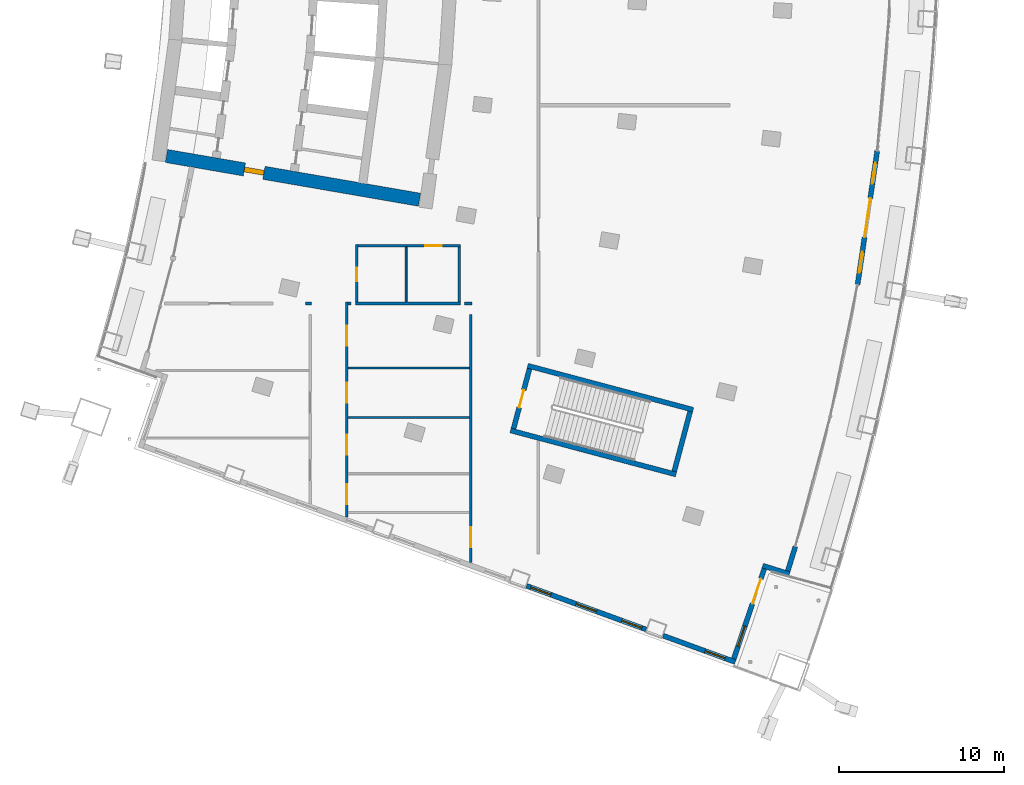
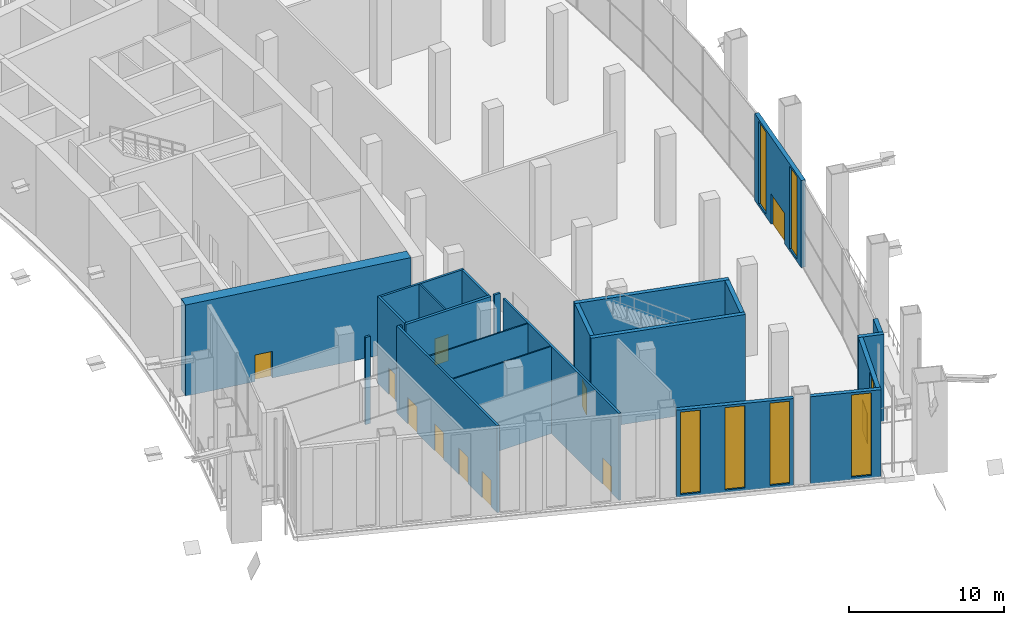
# One storey, part 16 of 27: 23 walls, 11 doors, 7 windows, 18 openings.
"""IFC4 building model written with IfcOpenShell, lengths in metres."""

from ifc_helpers import new_model, si_unit, direction, frame, frame_2d, origin, place, context, subcontext, project, spatial, rectangle, extrude, material, layer, layer_set, type_object, element, fill, save


model = new_model("IFC4")

# Units and contexts
model_context = context("Model", 3, precision=1e-05, world=origin(), true_north=direction((0.0, 1.0)))
body_context = subcontext(model_context, "Body", "Model", "MODEL_VIEW")
ifc_project = project(units=[si_unit("LENGTHUNIT", "METRE"), si_unit("AREAUNIT", "SQUARE_METRE"), si_unit("VOLUMEUNIT", "CUBIC_METRE"), si_unit("PLANEANGLEUNIT", "RADIAN"), si_unit("MASSUNIT", "GRAM", prefix="KILO")], contexts=[model_context])

# Site, building, storey
site_placement = place(None, origin())
site = spatial("IfcSite", under=ifc_project, at=site_placement, CompositionType="ELEMENT")
building_placement = place(site_placement, origin())
building = spatial("IfcBuilding", under=site, at=building_placement, Name="Alderwake Tower", CompositionType="ELEMENT")
storey_placement = place(building_placement, frame((0.0, 0.0, 75.199951171875)))
storey = spatial("IfcBuildingStorey", under=building, at=storey_placement, Name="L18", CompositionType="ELEMENT", Elevation=75.199951171875)

# Wall, opening, door
ifc_material_1 = material(Name="Concrete C70/85", Category="concrete")
ifc_layer_1 = layer(ifc_material_1, 0.800048828125)
ifc_layer_set_1 = layer_set([ifc_layer_1], Name="Core wall outer 800 C70-85")
wall_type_1 = type_object("IfcWallType", Name="Core wall outer 800 C70-85", PredefinedType="SHEAR", material=ifc_layer_set_1)
wall_1_placement = place(storey_placement, frame((31.20458984375, 41.776611328125, 0.0), z_axis=(0.0, 0.0, 1.0), x_axis=(-0.985386537175, 0.170333121719, 0.0)))
wall_1 = element("IfcWall", 1, at=wall_1_placement, inside=storey, type_object=wall_type_1, Name="Core wall CW.071", PredefinedType="SHEAR", context=body_context, shape_type="SweptSolid", body=[
    extrude(rectangle(XDim=15.537109375, YDim=0.800048828125, at=frame_2d((7.7685546875, 0.0))), origin(), (0.0, 0.0, 1.0), 7.199951171875),
])
opening_1_placement = place(wall_1_placement, frame((9.5537109375, 0.0, 0.0)))
opening_1 = element("IfcOpeningElement", 2, at=opening_1_placement, cuts=wall_1, Name="Opening C003", PredefinedType="OPENING", context=body_context, shape_type="SweptSolid", body=[
    extrude(rectangle(XDim=1.199951171875, YDim=2.10009765625, at=frame_2d((0.60009765625, 1.050048828125))), frame((0.0, 0.409912109375, 0.0), z_axis=(0.0, -1.0, 0.0), x_axis=(1.0, 0.0, 0.0)), (0.0, 0.0, 1.0), 0.820068359375),
])
ifc_material_2 = material(Name="Steel-framed fire door leaf", Category="steel")
door_type_1 = type_object("IfcDoorType", Name="Core lobby exit door 1200 fire-rated", OperationType="SINGLE_SWING_LEFT", PredefinedType="DOOR", material=ifc_material_2)
door_1_placement = place(opening_1_placement, origin())
door_1 = element("IfcDoor", 3, at=door_1_placement, inside=storey, type_object=door_type_1, Name="Lobby door", OperationType="SINGLE_SWING_LEFT", OverallHeight=2.10009765625, OverallWidth=1.199951171875, PredefinedType="DOOR", context=body_context, shape_type="SweptSolid", body=[
    extrude(rectangle(XDim=1.199951171875, YDim=2.10009765625, at=frame_2d((0.60009765625, 1.050048828125))), frame((0.0, 0.14990234375, 0.0), z_axis=(0.0, -1.0, 0.0), x_axis=(1.0, 0.0, 0.0)), (0.0, 0.0, 1.0), 0.300048828125),
])
fill(opening_1, door_1)

# Walls
ifc_material_3 = material(Name="Concrete C70/85", Category="concrete")
ifc_layer_2 = layer(ifc_material_3, 0.300048828125)
ifc_layer_set_2 = layer_set([ifc_layer_2], Name="Core wall stair enclosure 300 C70-85")
wall_type_2 = type_object("IfcWallType", Name="Core wall stair enclosure 300 C70-85", PredefinedType="SHEAR", material=ifc_layer_set_2)
for number, where, z_axis, x_axis, name in (
    (4, (37.75390625, 31.731201171875, 0.0), (0.0, 0.0, 1.0), (0.966309214305, -0.257383958996, 0.0), "Core wall CW.086"),
    (5, (36.71142578125, 27.817626953125, 0.0), (0.0, 0.0, 1.0), (0.966309214305, -0.257383958996, 0.0), "Core wall CW.088"),
):
    element("IfcWall", number, at=place(storey_placement, frame(where, z_axis=z_axis, x_axis=x_axis)), inside=storey, type_object=wall_type_2, Name=name, PredefinedType="SHEAR", context=body_context, shape_type="SweptSolid", body=[
        extrude(rectangle(XDim=10.360107421875, YDim=0.300048828125, at=frame_2d((5.18017578125, 0.0))), origin(), (0.0, 0.0, 1.0), 7.199951171875),
    ])

# Wall, opening, door
wall_2_placement = place(storey_placement, frame((36.89501953125, 27.923828125, 0.0), z_axis=(0.0, 0.0, 1.0), x_axis=(0.257350630826, 0.966318090907, 0.0)))
wall_2 = element("IfcWall", 6, at=wall_2_placement, inside=storey, type_object=wall_type_2, Name="Core wall CW.087", PredefinedType="SHEAR", context=body_context, shape_type="SweptSolid", body=[
    extrude(rectangle(XDim=3.75, YDim=0.300048828125, at=frame_2d((1.875, 0.0))), origin(), (0.0, 0.0, 1.0), 7.199951171875),
])
opening_2_placement = place(wall_2_placement, frame((1.324951171875, 0.0, 0.0)))
opening_2 = element("IfcOpeningElement", 7, at=opening_2_placement, cuts=wall_2, Name="Opening C065", PredefinedType="OPENING", context=body_context, shape_type="SweptSolid", body=[
    extrude(rectangle(XDim=1.10009765625, YDim=2.10009765625, at=frame_2d((0.550048828125, 1.050048828125))), frame((0.0, 0.159912109375, 0.0), z_axis=(0.0, -1.0, 0.0), x_axis=(1.0, 0.0, 0.0)), (0.0, 0.0, 1.0), 0.320068359375),
])
ifc_material_4 = material(Name="Steel-framed fire door leaf", Category="steel")
door_type_2 = type_object("IfcDoorType", Name="Core stair door 1100 fire-rated", OperationType="SINGLE_SWING_LEFT", PredefinedType="DOOR", material=ifc_material_4)
door_2_placement = place(opening_2_placement, origin())
door_2 = element("IfcDoor", 8, at=door_2_placement, inside=storey, type_object=door_type_2, Name="Stair door", OperationType="SINGLE_SWING_LEFT", OverallHeight=2.10009765625, OverallWidth=1.10009765625, PredefinedType="DOOR", context=body_context, shape_type="SweptSolid", body=[
    extrude(rectangle(XDim=1.10009765625, YDim=2.10009765625, at=frame_2d((0.550048828125, 1.050048828125))), frame((0.0, 0.02490234375, 0.0), z_axis=(0.0, -1.0, 0.0), x_axis=(1.0, 0.0, 0.0)), (0.0, 0.0, 1.0), 0.050048828125),
])
fill(opening_2, door_2)

# Walls
wall_3_placement = place(storey_placement, frame((46.6162109375, 25.334716796875, 0.0), z_axis=(0.0, 0.0, 1.0), x_axis=(0.257366821694, 0.966313778796, 0.0)))
element("IfcWall", 9, at=wall_3_placement, inside=storey, type_object=wall_type_2, Name="Core wall CW.085", PredefinedType="SHEAR", context=body_context, shape_type="SweptSolid", body=[
    extrude(rectangle(XDim=3.749755859375, YDim=0.300048828125, at=frame_2d((1.875, 0.0))), origin(), (0.0, 0.0, 1.0), 7.199951171875),
])
ifc_material_5 = material(Name="Gypsum board on metal studs, rated")
ifc_layer_3 = layer(ifc_material_5, 0.159912109375)
ifc_layer_set_3 = layer_set([ifc_layer_3], Name="Corridor wall 160")
wall_type_3 = type_object("IfcWallType", Name="Corridor wall 160", PredefinedType="PARTITIONING", material=ifc_layer_set_3)
wall_4_placement = place(storey_placement, frame((24.318115234375, 35.4990234375, 0.0), z_axis=(0.0, 0.0, 1.0), x_axis=(1.0, 0.0, 0.0)))
element("IfcWall", 10, at=wall_4_placement, inside=storey, type_object=wall_type_3, Name="WL/L18/W08", PredefinedType="PARTITIONING", context=body_context, shape_type="SweptSolid", body=[
    extrude(rectangle(XDim=0.36181640625, YDim=0.159912109375, at=frame_2d((0.180908203125, 0.0))), origin(), (0.0, 0.0, 1.0), 6.880126953125),
])

# Wall, openings, doors
wall_5_placement = place(storey_placement, frame((26.799072265625, 22.568115234375, 0.0), z_axis=(0.0, 0.0, 1.0), x_axis=(0.0, 1.0, 0.0)))
wall_5 = element("IfcWall", 11, at=wall_5_placement, inside=storey, type_object=wall_type_3, Name="WL/L18/W12", PredefinedType="PARTITIONING", context=body_context, shape_type="SweptSolid", body=[
    extrude(rectangle(XDim=13.010986328125, YDim=0.159912109375, at=frame_2d((6.50537109375, 0.0))), origin(), (0.0, 0.0, 1.0), 6.880126953125),
])
opening_3_placement = place(wall_5_placement, frame((10.382080078125, 0.0, 0.0)))
opening_3 = element("IfcOpeningElement", 12, at=opening_3_placement, cuts=wall_5, Name="Opening L18-04", PredefinedType="OPENING", context=body_context, shape_type="SweptSolid", body=[
    extrude(rectangle(XDim=1.199951171875, YDim=2.10009765625, at=frame_2d((0.60009765625, 1.050048828125))), frame((0.0, 0.08984375, 0.0), z_axis=(0.0, -1.0, 0.0), x_axis=(1.0, 0.0, 0.0)), (0.0, 0.0, 1.0), 0.179931640625),
])
opening_4_placement = place(wall_5_placement, frame((6.931884765625, 0.0, 0.0)))
opening_4 = element("IfcOpeningElement", 13, at=opening_4_placement, cuts=wall_5, Name="Opening L18-05", PredefinedType="OPENING", context=body_context, shape_type="SweptSolid", body=[
    extrude(rectangle(XDim=1.199951171875, YDim=2.10009765625, at=frame_2d((0.60009765625, 1.050048828125))), frame((0.0, 0.08984375, 0.0), z_axis=(0.0, -1.0, 0.0), x_axis=(1.0, 0.0, 0.0)), (0.0, 0.0, 1.0), 0.179931640625),
])
opening_5_placement = place(wall_5_placement, frame((3.781982421875, 0.0, 0.0)))
opening_5 = element("IfcOpeningElement", 14, at=opening_5_placement, cuts=wall_5, Name="Opening L18-06", PredefinedType="OPENING", context=body_context, shape_type="SweptSolid", body=[
    extrude(rectangle(XDim=1.199951171875, YDim=2.10009765625, at=frame_2d((0.60009765625, 1.050048828125))), frame((0.0, 0.08984375, 0.0), z_axis=(0.0, -1.0, 0.0), x_axis=(1.0, 0.0, 0.0)), (0.0, 0.0, 1.0), 0.179931640625),
])
opening_6_placement = place(wall_5_placement, frame((0.781982421875, 0.0, 0.0)))
opening_6 = element("IfcOpeningElement", 15, at=opening_6_placement, cuts=wall_5, Name="Opening L18-07", PredefinedType="OPENING", context=body_context, shape_type="SweptSolid", body=[
    extrude(rectangle(XDim=1.199951171875, YDim=2.10009765625, at=frame_2d((0.60009765625, 1.050048828125))), frame((0.0, 0.08984375, 0.0), z_axis=(0.0, -1.0, 0.0), x_axis=(1.0, 0.0, 0.0)), (0.0, 0.0, 1.0), 0.179931640625),
])
ifc_material_6 = material(Name="Steel door leaf in steel frame", Category="steel")
door_type_3 = type_object("IfcDoorType", Name="Plant room door 1200 steel", OperationType="SINGLE_SWING_LEFT", PredefinedType="DOOR", material=ifc_material_6)
door_3_placement = place(opening_3_placement, origin())
door_3 = element("IfcDoor", 16, at=door_3_placement, inside=storey, type_object=door_type_3, Name="DR/L18/04", OperationType="SINGLE_SWING_LEFT", OverallHeight=2.10009765625, OverallWidth=1.199951171875, PredefinedType="DOOR", context=body_context, shape_type="SweptSolid", body=[
    extrude(rectangle(XDim=1.199951171875, YDim=2.10009765625, at=frame_2d((0.60009765625, 1.050048828125))), frame((0.0, 0.02490234375, 0.0), z_axis=(0.0, -1.0, 0.0), x_axis=(1.0, 0.0, 0.0)), (0.0, 0.0, 1.0), 0.050048828125),
])
fill(opening_3, door_3)
door_4_placement = place(opening_4_placement, origin())
door_4 = element("IfcDoor", 17, at=door_4_placement, inside=storey, type_object=door_type_3, Name="DR/L18/05", OperationType="SINGLE_SWING_LEFT", OverallHeight=2.10009765625, OverallWidth=1.199951171875, PredefinedType="DOOR", context=body_context, shape_type="SweptSolid", body=[
    extrude(rectangle(XDim=1.199951171875, YDim=2.10009765625, at=frame_2d((0.60009765625, 1.050048828125))), frame((0.0, 0.02490234375, 0.0), z_axis=(0.0, -1.0, 0.0), x_axis=(1.0, 0.0, 0.0)), (0.0, 0.0, 1.0), 0.050048828125),
])
fill(opening_4, door_4)
door_5_placement = place(opening_5_placement, origin())
door_5 = element("IfcDoor", 18, at=door_5_placement, inside=storey, type_object=door_type_3, Name="DR/L18/06", OperationType="SINGLE_SWING_LEFT", OverallHeight=2.10009765625, OverallWidth=1.199951171875, PredefinedType="DOOR", context=body_context, shape_type="SweptSolid", body=[
    extrude(rectangle(XDim=1.199951171875, YDim=2.10009765625, at=frame_2d((0.60009765625, 1.050048828125))), frame((0.0, 0.02490234375, 0.0), z_axis=(0.0, -1.0, 0.0), x_axis=(1.0, 0.0, 0.0)), (0.0, 0.0, 1.0), 0.050048828125),
])
fill(opening_5, door_5)
door_6_placement = place(opening_6_placement, origin())
door_6 = element("IfcDoor", 19, at=door_6_placement, inside=storey, type_object=door_type_3, Name="DR/L18/07", OperationType="SINGLE_SWING_LEFT", OverallHeight=2.10009765625, OverallWidth=1.199951171875, PredefinedType="DOOR", context=body_context, shape_type="SweptSolid", body=[
    extrude(rectangle(XDim=1.199951171875, YDim=2.10009765625, at=frame_2d((0.60009765625, 1.050048828125))), frame((0.0, 0.02490234375, 0.0), z_axis=(0.0, -1.0, 0.0), x_axis=(1.0, 0.0, 0.0)), (0.0, 0.0, 1.0), 0.050048828125),
])
fill(opening_6, door_6)

# Wall
wall_6_placement = place(storey_placement, frame((26.87890625, 35.4990234375, 0.0), z_axis=(0.0, 0.0, 1.0), x_axis=(1.0, 0.0, 0.0)))
element("IfcWall", 20, at=wall_6_placement, inside=storey, type_object=wall_type_3, Name="WL/L18/W13", PredefinedType="PARTITIONING", context=body_context, shape_type="SweptSolid", body=[
    extrude(rectangle(XDim=0.186767578125, YDim=0.159912109375, at=frame_2d((0.09326171875, 0.0))), origin(), (0.0, 0.0, 1.0), 6.880126953125),
])

# Wall, opening, door
wall_7_placement = place(storey_placement, frame((27.39892578125, 35.59912109375, 0.0), z_axis=(0.0, 0.0, 1.0), x_axis=(0.0, 1.0, 0.0)))
wall_7 = element("IfcWall", 21, at=wall_7_placement, inside=storey, type_object=wall_type_3, Name="WL/L18/W15", PredefinedType="PARTITIONING", context=body_context, shape_type="SweptSolid", body=[
    extrude(rectangle(XDim=3.48095703125, YDim=0.159912109375, at=frame_2d((1.740478515625, 0.0))), origin(), (0.0, 0.0, 1.0), 6.880126953125),
])
opening_7_placement = place(wall_7_placement, frame((1.2509765625, 0.0, 0.0)))
opening_7 = element("IfcOpeningElement", 22, at=opening_7_placement, cuts=wall_7, Name="Opening L18-20", PredefinedType="OPENING", context=body_context, shape_type="SweptSolid", body=[
    extrude(rectangle(XDim=0.800048828125, YDim=2.10009765625, at=frame_2d((0.39990234375, 1.050048828125))), frame((0.0, 0.08984375, 0.0), z_axis=(0.0, -1.0, 0.0), x_axis=(1.0, 0.0, 0.0)), (0.0, 0.0, 1.0), 0.179931640625),
])
ifc_material_7 = material(Name="Painted timber leaf", Category="wood")
door_type_4 = type_object("IfcDoorType", Name="Bathroom door 800", OperationType="SINGLE_SWING_LEFT", PredefinedType="DOOR", material=ifc_material_7)
door_7_placement = place(opening_7_placement, origin())
door_7 = element("IfcDoor", 23, at=door_7_placement, inside=storey, type_object=door_type_4, Name="DR/L18/20", OperationType="SINGLE_SWING_LEFT", OverallHeight=2.10009765625, OverallWidth=0.800048828125, PredefinedType="DOOR", context=body_context, shape_type="SweptSolid", body=[
    extrude(rectangle(XDim=0.800048828125, YDim=2.10009765625, at=frame_2d((0.39990234375, 1.050048828125))), frame((0.0, 0.02490234375, 0.0), z_axis=(0.0, -1.0, 0.0), x_axis=(1.0, 0.0, 0.0)), (0.0, 0.0, 1.0), 0.050048828125),
])
fill(opening_7, door_7)

wall_8_placement = place(storey_placement, frame((27.47900390625, 39.0, 0.0), z_axis=(0.0, 0.0, 1.0), x_axis=(1.0, 0.0, 0.0)))
wall_8 = element("IfcWall", 24, at=wall_8_placement, inside=storey, type_object=wall_type_3, Name="WL/L18/W16", PredefinedType="PARTITIONING", context=body_context, shape_type="SweptSolid", body=[
    extrude(rectangle(XDim=6.200927734375, YDim=0.159912109375, at=frame_2d((3.1005859375, 0.0))), origin(), (0.0, 0.0, 1.0), 6.880126953125),
])
opening_8_placement = place(wall_8_placement, frame((4.071044921875, 0.0, 0.0)))
opening_8 = element("IfcOpeningElement", 25, at=opening_8_placement, cuts=wall_8, Name="Opening L18-21", PredefinedType="OPENING", context=body_context, shape_type="SweptSolid", body=[
    extrude(rectangle(XDim=1.0, YDim=2.10009765625, at=frame_2d((0.5, 1.050048828125))), frame((0.0, 0.08984375, 0.0), z_axis=(0.0, -1.0, 0.0), x_axis=(1.0, 0.0, 0.0)), (0.0, 0.0, 1.0), 0.179931640625),
])
ifc_material_8 = material(Name="Painted timber leaf", Category="wood")
door_type_5 = type_object("IfcDoorType", Name="Accessible WC door 1000", OperationType="SINGLE_SWING_LEFT", PredefinedType="DOOR", material=ifc_material_8)
door_8_placement = place(opening_8_placement, origin())
door_8 = element("IfcDoor", 26, at=door_8_placement, inside=storey, type_object=door_type_5, Name="DR/L18/21", OperationType="SINGLE_SWING_LEFT", OverallHeight=2.10009765625, OverallWidth=1.0, PredefinedType="DOOR", context=body_context, shape_type="SweptSolid", body=[
    extrude(rectangle(XDim=1.0, YDim=2.10009765625, at=frame_2d((0.5, 1.050048828125))), frame((0.0, 0.02490234375, 0.0), z_axis=(0.0, -1.0, 0.0), x_axis=(1.0, 0.0, 0.0)), (0.0, 0.0, 1.0), 0.050048828125),
])
fill(opening_8, door_8)

# Walls
wall_9_placement = place(storey_placement, frame((33.933349609375, 35.4990234375, 0.0), z_axis=(0.0, 0.0, 1.0), x_axis=(1.0, 0.0, 0.0)))
element("IfcWall", 27, at=wall_9_placement, inside=storey, type_object=wall_type_3, Name="WL/L18/W21", PredefinedType="PARTITIONING", context=body_context, shape_type="SweptSolid", body=[
    extrude(rectangle(XDim=0.445556640625, YDim=0.159912109375, at=frame_2d((0.22265625, 0.0))), origin(), (0.0, 0.0, 1.0), 6.880126953125),
])
wall_10_placement = place(storey_placement, frame((33.60009765625, 38.919921875, 0.0), z_axis=(0.0, 0.0, 1.0), x_axis=(0.0, -1.0, 0.0)))
element("IfcWall", 28, at=wall_10_placement, inside=storey, type_object=wall_type_3, Name="WL/L18/W22", PredefinedType="PARTITIONING", context=body_context, shape_type="SweptSolid", body=[
    extrude(rectangle(XDim=3.32080078125, YDim=0.159912109375, at=frame_2d((1.660400390625, 0.0))), origin(), (0.0, 0.0, 1.0), 6.880126953125),
])

# Wall, opening, door
wall_11_placement = place(storey_placement, frame((34.299072265625, 34.819091796875, 0.0), z_axis=(0.0, 0.0, 1.0), x_axis=(0.0, -1.0, 0.0)))
wall_11 = element("IfcWall", 29, at=wall_11_placement, inside=storey, type_object=wall_type_3, Name="WL/L18/W23", PredefinedType="PARTITIONING", context=body_context, shape_type="SweptSolid", body=[
    extrude(rectangle(XDim=14.989990234375, YDim=0.159912109375, at=frame_2d((7.4951171875, 0.0))), origin(), (0.0, 0.0, 1.0), 6.880126953125),
])
opening_9_placement = place(wall_11_placement, frame((12.868896484375, 0.0, 0.0)))
opening_9 = element("IfcOpeningElement", 30, at=opening_9_placement, cuts=wall_11, Name="Opening L18-08", PredefinedType="OPENING", context=body_context, shape_type="SweptSolid", body=[
    extrude(rectangle(XDim=1.199951171875, YDim=2.10009765625, at=frame_2d((0.60009765625, 1.050048828125))), frame((0.0, 0.08984375, 0.0), z_axis=(0.0, -1.0, 0.0), x_axis=(1.0, 0.0, 0.0)), (0.0, 0.0, 1.0), 0.179931640625),
])
door_9_placement = place(opening_9_placement, origin())
door_9 = element("IfcDoor", 31, at=door_9_placement, inside=storey, type_object=door_type_3, Name="DR/L18/08", OperationType="SINGLE_SWING_LEFT", OverallHeight=2.10009765625, OverallWidth=1.199951171875, PredefinedType="DOOR", context=body_context, shape_type="SweptSolid", body=[
    extrude(rectangle(XDim=1.199951171875, YDim=2.10009765625, at=frame_2d((0.60009765625, 1.050048828125))), frame((0.0, 0.02490234375, 0.0), z_axis=(0.0, -1.0, 0.0), x_axis=(1.0, 0.0, 0.0)), (0.0, 0.0, 1.0), 0.050048828125),
])
fill(opening_9, door_9)

# Wall
ifc_material_9 = material(Name="Precast concrete C50/60 spandrel panel", Category="concrete")
ifc_layer_4 = layer(ifc_material_9, 0.300048828125)
ifc_layer_set_4 = layer_set([ifc_layer_4], Name="External wall EW1 Precast concrete C50/60 spandrel")
wall_type_4 = type_object("IfcWallType", Name="External wall EW1 Precast concrete C50/60 spandrel", PredefinedType="SOLIDWALL", material=ifc_layer_set_4)
wall_12_placement = place(storey_placement, frame((53.489990234375, 19.315185546875, 0.0), z_axis=(0.0, 0.0, 1.0), x_axis=(0.294598330343, 0.955621171678, 0.0)))
element("IfcWall", 32, at=wall_12_placement, inside=storey, type_object=wall_type_4, Name="External wall 15", PredefinedType="SOLIDWALL", context=body_context, shape_type="SweptSolid", body=[
    extrude(rectangle(XDim=1.539794921875, YDim=0.300048828125, at=frame_2d((0.77001953125, 0.0))), origin(), (0.0, 0.0, 1.0), 6.880126953125),
])

# Wall, openings, door, windows
wall_13_placement = place(storey_placement, frame((57.713623046875, 36.649658203125, 0.0), z_axis=(0.0, 0.0, 1.0), x_axis=(0.145324294793, 0.989384075748, 0.0)))
wall_13 = element("IfcWall", 33, at=wall_13_placement, inside=storey, type_object=wall_type_4, Name="External wall 16", PredefinedType="SOLIDWALL", context=body_context, shape_type="SweptSolid", body=[
    extrude(rectangle(XDim=8.15966796875, YDim=0.300048828125, at=frame_2d((4.079833984375, 0.0))), origin(), (0.0, 0.0, 1.0), 6.880126953125),
])
opening_10_placement = place(wall_13_placement, frame((0.7099609375, 0.0, 0.199951171875)))
opening_10 = element("IfcOpeningElement", 34, at=opening_10_placement, cuts=wall_13, Name="Opening W5", PredefinedType="OPENING", context=body_context, shape_type="SweptSolid", body=[
    extrude(rectangle(XDim=1.300048828125, YDim=6.5, at=frame_2d((0.64990234375, 3.25))), frame((0.0, 0.159912109375, 0.0), z_axis=(0.0, -1.0, 0.0), x_axis=(1.0, 0.0, 0.0)), (0.0, 0.0, 1.0), 0.320068359375),
])
opening_11_placement = place(wall_13_placement, frame((2.8798828125, 0.0, 0.0)))
opening_11 = element("IfcOpeningElement", 35, at=opening_11_placement, cuts=wall_13, Name="Opening D04", PredefinedType="OPENING", context=body_context, shape_type="SweptSolid", body=[
    extrude(rectangle(XDim=2.39990234375, YDim=2.39990234375, at=frame_2d((1.199951171875, 1.199951171875))), frame((0.0, 0.159912109375, 0.0), z_axis=(0.0, -1.0, 0.0), x_axis=(1.0, 0.0, 0.0)), (0.0, 0.0, 1.0), 0.320068359375),
])
opening_12_placement = place(wall_13_placement, frame((6.149658203125, 0.0, 0.199951171875)))
opening_12 = element("IfcOpeningElement", 36, at=opening_12_placement, cuts=wall_13, Name="Opening W5", PredefinedType="OPENING", context=body_context, shape_type="SweptSolid", body=[
    extrude(rectangle(XDim=1.300048828125, YDim=6.5, at=frame_2d((0.64990234375, 3.25))), frame((0.0, 0.159912109375, 0.0), z_axis=(0.0, -1.0, 0.0), x_axis=(1.0, 0.0, 0.0)), (0.0, 0.0, 1.0), 0.320068359375),
])
ifc_material_10 = material(Name="Bronze tinted glass in aluminium frame", Category="aluminium")
door_type_6 = type_object("IfcDoorType", Name="Garden door GD sliding", OperationType="DOUBLE_DOOR_SINGLE_SWING", PredefinedType="DOOR", material=ifc_material_10)
door_10_placement = place(opening_11_placement, origin())
door_10 = element("IfcDoor", 37, at=door_10_placement, inside=storey, type_object=door_type_6, Name="Door D04", OperationType="DOUBLE_DOOR_SINGLE_SWING", OverallHeight=2.39990234375, OverallWidth=2.39990234375, PredefinedType="DOOR", context=body_context, shape_type="SweptSolid", body=[
    extrude(rectangle(XDim=2.39990234375, YDim=2.39990234375, at=frame_2d((1.199951171875, 1.199951171875))), frame((0.0, 0.02490234375, 0.0), z_axis=(0.0, -1.0, 0.0), x_axis=(1.0, 0.0, 0.0)), (0.0, 0.0, 1.0), 0.050048828125),
])
fill(opening_11, door_10)
ifc_material_11 = material(Name="Bronze tinted glass in aluminium frame", Category="aluminium")
window_type = type_object("IfcWindowType", Name="Window W5 garden floor tall", PartitioningType="SINGLE_PANEL", PredefinedType="WINDOW", material=ifc_material_11)
window_1_placement = place(opening_10_placement, origin())
window_1 = element("IfcWindow", 38, at=window_1_placement, inside=storey, type_object=window_type, Name="Window W5 garden floor tall", OverallHeight=6.5, OverallWidth=1.300048828125, PartitioningType="SINGLE_PANEL", PredefinedType="WINDOW", context=body_context, shape_type="SweptSolid", body=[
    extrude(rectangle(XDim=1.300048828125, YDim=6.5, at=frame_2d((0.64990234375, 3.25))), frame((0.0, 0.030029296875, 0.0), z_axis=(0.0, -1.0, 0.0), x_axis=(1.0, 0.0, 0.0)), (0.0, 0.0, 1.0), 0.06005859375),
])
fill(opening_10, window_1)
window_2_placement = place(opening_12_placement, origin())
window_2 = element("IfcWindow", 39, at=window_2_placement, inside=storey, type_object=window_type, Name="Window W5 garden floor tall", OverallHeight=6.5, OverallWidth=1.300048828125, PartitioningType="SINGLE_PANEL", PredefinedType="WINDOW", context=body_context, shape_type="SweptSolid", body=[
    extrude(rectangle(XDim=1.300048828125, YDim=6.5, at=frame_2d((0.64990234375, 3.25))), frame((0.0, 0.030029296875, 0.0), z_axis=(0.0, -1.0, 0.0), x_axis=(1.0, 0.0, 0.0)), (0.0, 0.0, 1.0), 0.06005859375),
])
fill(opening_12, window_2)

# Wall, openings, windows
ifc_material_12 = material(Name="Bronze metal cladding on lightweight framing")
ifc_layer_5 = layer(ifc_material_12, 0.300048828125)
ifc_layer_set_5 = layer_set([ifc_layer_5], Name="External wall EW2 bronze metal cladding")
wall_type_5 = type_object("IfcWallType", Name="External wall EW2 bronze metal cladding", PredefinedType="SOLIDWALL", material=ifc_layer_set_5)
wall_14_placement = place(storey_placement, frame((37.68310546875, 18.414794921875, 0.0), z_axis=(0.0, 0.0, 1.0), x_axis=(0.939374999544, -0.342891542958, 0.0)))
wall_14 = element("IfcWall", 40, at=wall_14_placement, inside=storey, type_object=wall_type_5, Name="External wall 11", PredefinedType="SOLIDWALL", context=body_context, shape_type="SweptSolid", body=[
    extrude(rectangle(XDim=7.696044921875, YDim=0.300048828125, at=frame_2d((3.84814453125, 0.0))), origin(), (0.0, 0.0, 1.0), 6.880126953125),
])
opening_13_placement = place(wall_14_placement, frame((0.264404296875, 0.0, 0.199951171875)))
opening_13 = element("IfcOpeningElement", 41, at=opening_13_placement, cuts=wall_14, Name="Opening W5", PredefinedType="OPENING", context=body_context, shape_type="SweptSolid", body=[
    extrude(rectangle(XDim=1.300048828125, YDim=6.5, at=frame_2d((0.64990234375, 3.25))), frame((0.0, 0.159912109375, 0.0), z_axis=(0.0, -1.0, 0.0), x_axis=(1.0, 0.0, 0.0)), (0.0, 0.0, 1.0), 0.320068359375),
])
opening_14_placement = place(wall_14_placement, frame((3.197998046875, 0.0, 0.199951171875)))
opening_14 = element("IfcOpeningElement", 42, at=opening_14_placement, cuts=wall_14, Name="Opening W5", PredefinedType="OPENING", context=body_context, shape_type="SweptSolid", body=[
    extrude(rectangle(XDim=1.300048828125, YDim=6.5, at=frame_2d((0.64990234375, 3.25))), frame((0.0, 0.159912109375, 0.0), z_axis=(0.0, -1.0, 0.0), x_axis=(1.0, 0.0, 0.0)), (0.0, 0.0, 1.0), 0.320068359375),
])
opening_15_placement = place(wall_14_placement, frame((6.13134765625, 0.0, 0.199951171875)))
opening_15 = element("IfcOpeningElement", 43, at=opening_15_placement, cuts=wall_14, Name="Opening W5", PredefinedType="OPENING", context=body_context, shape_type="SweptSolid", body=[
    extrude(rectangle(XDim=1.300048828125, YDim=6.5, at=frame_2d((0.64990234375, 3.25))), frame((0.0, 0.159912109375, 0.0), z_axis=(0.0, -1.0, 0.0), x_axis=(1.0, 0.0, 0.0)), (0.0, 0.0, 1.0), 0.320068359375),
])
window_3_placement = place(opening_13_placement, origin())
window_3 = element("IfcWindow", 44, at=window_3_placement, inside=storey, type_object=window_type, Name="Window W5 garden floor tall", OverallHeight=6.5, OverallWidth=1.300048828125, PartitioningType="SINGLE_PANEL", PredefinedType="WINDOW", context=body_context, shape_type="SweptSolid", body=[
    extrude(rectangle(XDim=1.300048828125, YDim=6.5, at=frame_2d((0.64990234375, 3.25))), frame((0.0, 0.030029296875, 0.0), z_axis=(0.0, -1.0, 0.0), x_axis=(1.0, 0.0, 0.0)), (0.0, 0.0, 1.0), 0.06005859375),
])
fill(opening_13, window_3)
window_4_placement = place(opening_14_placement, origin())
window_4 = element("IfcWindow", 45, at=window_4_placement, inside=storey, type_object=window_type, Name="Window W5 garden floor tall", OverallHeight=6.5, OverallWidth=1.300048828125, PartitioningType="SINGLE_PANEL", PredefinedType="WINDOW", context=body_context, shape_type="SweptSolid", body=[
    extrude(rectangle(XDim=1.300048828125, YDim=6.5, at=frame_2d((0.64990234375, 3.25))), frame((0.0, 0.030029296875, 0.0), z_axis=(0.0, -1.0, 0.0), x_axis=(1.0, 0.0, 0.0)), (0.0, 0.0, 1.0), 0.06005859375),
])
fill(opening_14, window_4)
window_5_placement = place(opening_15_placement, origin())
window_5 = element("IfcWindow", 46, at=window_5_placement, inside=storey, type_object=window_type, Name="Window W5 garden floor tall", OverallHeight=6.5, OverallWidth=1.300048828125, PartitioningType="SINGLE_PANEL", PredefinedType="WINDOW", context=body_context, shape_type="SweptSolid", body=[
    extrude(rectangle(XDim=1.300048828125, YDim=6.5, at=frame_2d((0.64990234375, 3.25))), frame((0.0, 0.030029296875, 0.0), z_axis=(0.0, -1.0, 0.0), x_axis=(1.0, 0.0, 0.0)), (0.0, 0.0, 1.0), 0.06005859375),
])
fill(opening_15, window_5)

# Wall, opening, window
wall_15_placement = place(storey_placement, frame((45.94970703125, 15.3974609375, 0.0), z_axis=(0.0, 0.0, 1.0), x_axis=(0.939360006806, -0.342932613807, 0.0)))
wall_15 = element("IfcWall", 47, at=wall_15_placement, inside=storey, type_object=wall_type_5, Name="External wall 12", PredefinedType="SOLIDWALL", context=body_context, shape_type="SweptSolid", body=[
    extrude(rectangle(XDim=4.64599609375, YDim=0.300048828125, at=frame_2d((2.322998046875, 0.0))), origin(), (0.0, 0.0, 1.0), 6.880126953125),
])
opening_16_placement = place(wall_15_placement, frame((2.6962890625, 0.0, 0.199951171875)))
opening_16 = element("IfcOpeningElement", 48, at=opening_16_placement, cuts=wall_15, Name="Opening W5", PredefinedType="OPENING", context=body_context, shape_type="SweptSolid", body=[
    extrude(rectangle(XDim=1.300048828125, YDim=6.5, at=frame_2d((0.64990234375, 3.25))), frame((0.0, 0.159912109375, 0.0), z_axis=(0.0, -1.0, 0.0), x_axis=(1.0, 0.0, 0.0)), (0.0, 0.0, 1.0), 0.320068359375),
])
window_6_placement = place(opening_16_placement, origin())
window_6 = element("IfcWindow", 49, at=window_6_placement, inside=storey, type_object=window_type, Name="Window W5 garden floor tall", OverallHeight=6.5, OverallWidth=1.300048828125, PartitioningType="SINGLE_PANEL", PredefinedType="WINDOW", context=body_context, shape_type="SweptSolid", body=[
    extrude(rectangle(XDim=1.300048828125, YDim=6.5, at=frame_2d((0.64990234375, 3.25))), frame((0.0, 0.030029296875, 0.0), z_axis=(0.0, -1.0, 0.0), x_axis=(1.0, 0.0, 0.0)), (0.0, 0.0, 1.0), 0.06005859375),
])
fill(opening_16, window_6)

# Wall, openings, door, window
wall_16_placement = place(storey_placement, frame((50.22119140625, 13.997802734375, 0.0), z_axis=(0.0, 0.0, 1.0), x_axis=(0.320867781559, 0.947123997562, 0.0)))
wall_16 = element("IfcWall", 50, at=wall_16_placement, inside=storey, type_object=wall_type_5, Name="External wall 13", PredefinedType="SOLIDWALL", context=body_context, shape_type="SweptSolid", body=[
    extrude(rectangle(XDim=5.7568359375, YDim=0.300048828125, at=frame_2d((2.87841796875, 0.0))), origin(), (0.0, 0.0, 1.0), 6.880126953125),
])
opening_17_placement = place(wall_16_placement, frame((0.789306640625, 0.0, 0.199951171875)))
opening_17 = element("IfcOpeningElement", 51, at=opening_17_placement, cuts=wall_16, Name="Opening W5", PredefinedType="OPENING", context=body_context, shape_type="SweptSolid", body=[
    extrude(rectangle(XDim=1.300048828125, YDim=6.5, at=frame_2d((0.64990234375, 3.25))), frame((0.0, 0.159912109375, 0.0), z_axis=(0.0, -1.0, 0.0), x_axis=(1.0, 0.0, 0.0)), (0.0, 0.0, 1.0), 0.320068359375),
])
opening_18_placement = place(wall_16_placement, frame((3.517578125, 0.0, 0.0)))
opening_18 = element("IfcOpeningElement", 52, at=opening_18_placement, cuts=wall_16, Name="Opening D03", PredefinedType="OPENING", context=body_context, shape_type="SweptSolid", body=[
    extrude(rectangle(XDim=1.60009765625, YDim=2.39990234375, at=frame_2d((0.800048828125, 1.199951171875))), frame((0.0, 0.159912109375, 0.0), z_axis=(0.0, -1.0, 0.0), x_axis=(1.0, 0.0, 0.0)), (0.0, 0.0, 1.0), 0.320068359375),
])
ifc_material_13 = material(Name="Bronze tinted glass in aluminium frame", Category="aluminium")
door_type_7 = type_object("IfcDoorType", Name="Terrace door TD sliding", OperationType="SLIDING_TO_LEFT", PredefinedType="DOOR", material=ifc_material_13)
door_11_placement = place(opening_18_placement, origin())
door_11 = element("IfcDoor", 53, at=door_11_placement, inside=storey, type_object=door_type_7, Name="Door D03", OperationType="SLIDING_TO_LEFT", OverallHeight=2.39990234375, OverallWidth=1.60009765625, PredefinedType="DOOR", context=body_context, shape_type="SweptSolid", body=[
    extrude(rectangle(XDim=1.60009765625, YDim=2.39990234375, at=frame_2d((0.800048828125, 1.199951171875))), frame((0.0, 0.02490234375, 0.0), z_axis=(0.0, -1.0, 0.0), x_axis=(1.0, 0.0, 0.0)), (0.0, 0.0, 1.0), 0.050048828125),
])
fill(opening_18, door_11)
window_7_placement = place(opening_17_placement, origin())
window_7 = element("IfcWindow", 54, at=window_7_placement, inside=storey, type_object=window_type, Name="Window W5 garden floor tall", OverallHeight=6.5, OverallWidth=1.300048828125, PartitioningType="SINGLE_PANEL", PredefinedType="WINDOW", context=body_context, shape_type="SweptSolid", body=[
    extrude(rectangle(XDim=1.300048828125, YDim=6.5, at=frame_2d((0.64990234375, 3.25))), frame((0.0, 0.030029296875, 0.0), z_axis=(0.0, -1.0, 0.0), x_axis=(1.0, 0.0, 0.0)), (0.0, 0.0, 1.0), 0.06005859375),
])
fill(opening_17, window_7)

# Walls
wall_17_placement = place(storey_placement, frame((51.973388671875, 19.637451171875, 0.0), z_axis=(0.0, 0.0, 1.0), x_axis=(0.953454113074, -0.301538147275, 0.0)))
element("IfcWall", 55, at=wall_17_placement, inside=storey, type_object=wall_type_5, Name="External wall 14", PredefinedType="SOLIDWALL", context=body_context, shape_type="SweptSolid", body=[
    extrude(rectangle(XDim=1.694580078125, YDim=0.300048828125, at=frame_2d((0.84716796875, 0.0))), origin(), (0.0, 0.0, 1.0), 6.880126953125),
])
ifc_material_14 = material(Name="Dense block masonry wall", Category="masonry")
ifc_layer_6 = layer(ifc_material_14, 0.199951171875)
ifc_layer_set_6 = layer_set([ifc_layer_6], Name="Party wall 200")
wall_type_6 = type_object("IfcWallType", Name="Party wall 200", PredefinedType="SOLIDWALL", material=ifc_layer_set_6)
wall_18_placement = place(storey_placement, frame((27.319091796875, 35.4990234375, 0.0), z_axis=(0.0, 0.0, 1.0), x_axis=(1.0, 0.0, 0.0)))
element("IfcWall", 56, at=wall_18_placement, inside=storey, type_object=wall_type_6, Name="WL/L18/W01", PredefinedType="SOLIDWALL", context=body_context, shape_type="SweptSolid", body=[
    extrude(rectangle(XDim=6.36083984375, YDim=0.199951171875, at=frame_2d((3.180419921875, 0.0))), origin(), (0.0, 0.0, 1.0), 6.880126953125),
])
ifc_material_15 = material(Name="Gypsum board on metal studs")
ifc_layer_7 = layer(ifc_material_15, 0.10009765625)
ifc_layer_set_7 = layer_set([ifc_layer_7], Name="Unit partition 100")
wall_type_7 = type_object("IfcWallType", Name="Unit partition 100", PredefinedType="PARTITIONING", material=ifc_layer_set_7)
for number, where, z_axis, x_axis, name in (
    (57, (26.87890625, 28.59912109375, 0.0), (0.0, 0.0, 1.0), (1.0, 0.0, 0.0), "WL/L18/W36"),
    (58, (26.87890625, 31.59912109375, 0.0), (0.0, 0.0, 1.0), (1.0, 0.0, 0.0), "WL/L18/W37"),
):
    element("IfcWall", number, at=place(storey_placement, frame(where, z_axis=z_axis, x_axis=x_axis)), inside=storey, type_object=wall_type_7, Name=name, PredefinedType="PARTITIONING", context=body_context, shape_type="SweptSolid", body=[
        extrude(rectangle(XDim=7.340087890625, YDim=0.10009765625, at=frame_2d((3.669921875, 0.0))), origin(), (0.0, 0.0, 1.0), 6.880126953125),
    ])
ifc_material_16 = material(Name="Moisture resistant gypsum board on metal studs")
ifc_layer_8 = layer(ifc_material_16, 0.1201171875)
ifc_layer_set_8 = layer_set([ifc_layer_8], Name="Wet room partition 120")
wall_type_8 = type_object("IfcWallType", Name="Wet room partition 120", PredefinedType="PARTITIONING", material=ifc_layer_set_8)
wall_19_placement = place(storey_placement, frame((30.39892578125, 35.59912109375, 0.0), z_axis=(0.0, 0.0, 1.0), x_axis=(0.0, 1.0, 0.0)))
element("IfcWall", 59, at=wall_19_placement, inside=storey, type_object=wall_type_8, Name="WL/L18/W29", PredefinedType="PARTITIONING", context=body_context, shape_type="SweptSolid", body=[
    extrude(rectangle(XDim=3.32080078125, YDim=0.1201171875, at=frame_2d((1.660400390625, 0.0))), origin(), (0.0, 0.0, 1.0), 6.880126953125),
])

save(model, "model.ifc")
